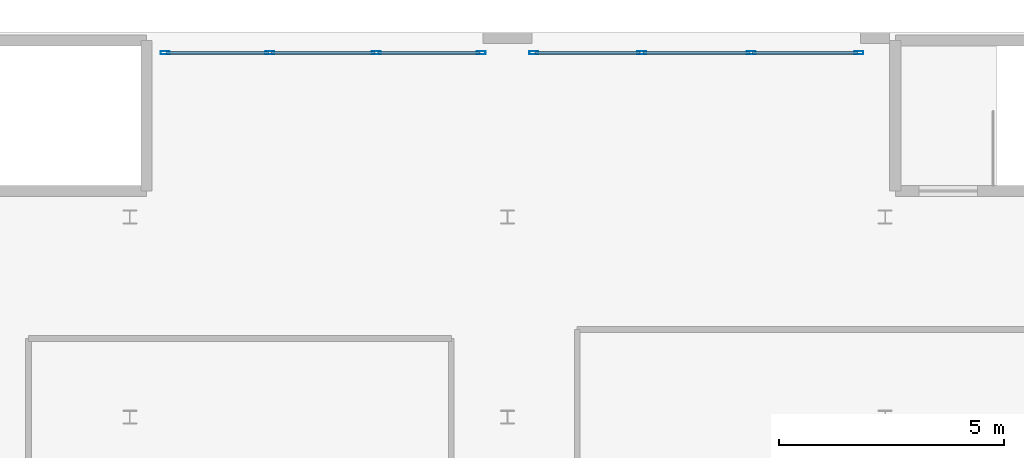
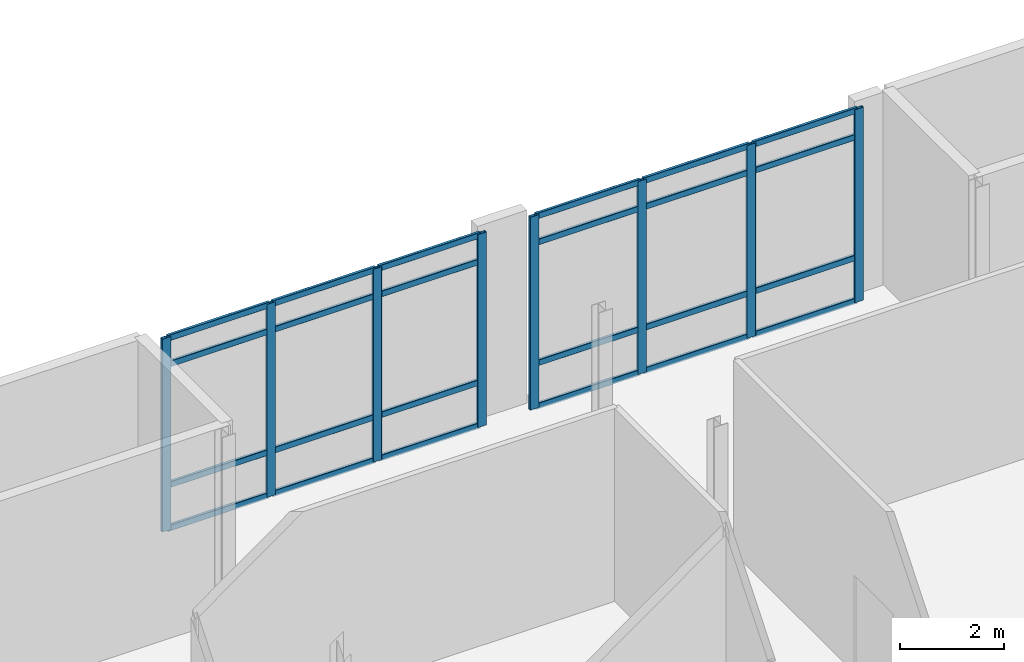
# One storey, part 78 of 154: 32 members, 2 elements without a shape of their own.
"""IFC4 building model written with IfcOpenShell, lengths in metres."""

from ifc_helpers import new_model, si_unit, direction, frame, origin, origin_2d, place, context, subcontext, project, spatial, hollow_rectangle, extrude, material, layer, layer_set, material_profile, profile_set, type_object, element, aggregate, save


model = new_model("IFC4")

# Units and contexts
model_context = context("Model", 3, precision=1e-05, world=origin(), true_north=direction((0.0, 1.0)))
body_context = subcontext(model_context, "Body", "Model", "MODEL_VIEW")
ifc_project = project(units=[si_unit("LENGTHUNIT", "METRE"), si_unit("AREAUNIT", "SQUARE_METRE"), si_unit("VOLUMEUNIT", "CUBIC_METRE"), si_unit("PLANEANGLEUNIT", "RADIAN"), si_unit("MASSUNIT", "GRAM", prefix="KILO")], contexts=[model_context])

# Site, building, storey
site_placement = place(None, origin())
site = spatial("IfcSite", under=ifc_project, at=site_placement, CompositionType="ELEMENT")
building_placement = place(site_placement, origin())
building = spatial("IfcBuilding", under=site, at=building_placement, Name="Kazehara Bluff Congress Hotel", CompositionType="ELEMENT")
storey_placement = place(building_placement, frame((0.0, 0.0, 10.199951171875)))
storey = spatial("IfcBuildingStorey", under=building, at=storey_placement, Name="L02", CompositionType="ELEMENT", Elevation=10.199951171875)

# Curtain wall, members
ifc_material_1 = material(Name="Anodised aluminium", Category="aluminium")
ifc_layer_1 = layer(ifc_material_1, 0.159912109375)
ifc_layer_set_1 = layer_set([ifc_layer_1], Name="Anodised aluminium")
curtain_wall_type_1 = type_object("IfcCurtainWallType", Name="TP-CW-47", PredefinedType="NOTDEFINED", material=ifc_layer_set_1)
curtain_wall_1_placement = place(storey_placement, origin())
curtain_wall_1 = element("IfcCurtainWall", 1, at=curtain_wall_1_placement, inside=storey, type_object=curtain_wall_type_1, Name="L02 curtain wall CW-47 CW-V3-L02-Y11355-6840", PredefinedType="NOTDEFINED")
ifc_material_2 = material(Name="Anodised aluminium", Category="aluminium")
ifc_material_profile_1 = material_profile(ifc_material_2, hollow_rectangle(XDim=0.070068359375, YDim=0.199951171875, WallThickness=0.0048828125, InnerFilletRadius=0.0048828125, OuterFilletRadius=0.010009765625, at=origin_2d()))
ifc_profile_set_1 = profile_set([ifc_material_profile_1], Name="Anodised aluminium")
member_type_1 = type_object("IfcMemberType", Name="TP-CWM-03", PredefinedType="MULLION", material=ifc_profile_set_1)
member_1_placement = place(storey_placement, frame((68.43505859375, 113.550048828125, 0.0), z_axis=(0.0, 0.0, 1.0), x_axis=(0.0, 1.0, 0.0)))
member_1 = element("IfcMember", 2, at=member_1_placement, type_object=member_type_1, Name="CW-47 mullion 1", PredefinedType="MULLION", context=body_context, shape_type="SweptSolid", body=[
    extrude(hollow_rectangle(XDim=0.070068359375, YDim=0.199951171875, WallThickness=0.0048828125, InnerFilletRadius=0.0048828125, OuterFilletRadius=0.010009765625, at=origin_2d()), origin(), (0.0, 0.0, 1.0), 4.545166015625),
])
member_2_placement = place(storey_placement, frame((70.7666015625, 113.550048828125, 0.0), z_axis=(0.0, 0.0, 1.0), x_axis=(0.0, 1.0, 0.0)))
member_2 = element("IfcMember", 3, at=member_2_placement, type_object=member_type_1, Name="CW-47 mullion 2", PredefinedType="MULLION", context=body_context, shape_type="SweptSolid", body=[
    extrude(hollow_rectangle(XDim=0.070068359375, YDim=0.199951171875, WallThickness=0.0048828125, InnerFilletRadius=0.0048828125, OuterFilletRadius=0.010009765625, at=origin_2d()), origin(), (0.0, 0.0, 1.0), 4.545166015625),
])
member_3_placement = place(storey_placement, frame((73.13330078125, 113.550048828125, 0.0), z_axis=(0.0, 0.0, 1.0), x_axis=(0.0, 1.0, 0.0)))
member_3 = element("IfcMember", 4, at=member_3_placement, type_object=member_type_1, Name="CW-47 mullion 3", PredefinedType="MULLION", context=body_context, shape_type="SweptSolid", body=[
    extrude(hollow_rectangle(XDim=0.070068359375, YDim=0.199951171875, WallThickness=0.0048828125, InnerFilletRadius=0.0048828125, OuterFilletRadius=0.010009765625, at=origin_2d()), origin(), (0.0, 0.0, 1.0), 4.545166015625),
])
member_4_placement = place(storey_placement, frame((75.465087890625, 113.550048828125, 0.0), z_axis=(0.0, 0.0, 1.0), x_axis=(0.0, 1.0, 0.0)))
member_4 = element("IfcMember", 5, at=member_4_placement, type_object=member_type_1, Name="CW-47 mullion 4", PredefinedType="MULLION", context=body_context, shape_type="SweptSolid", body=[
    extrude(hollow_rectangle(XDim=0.070068359375, YDim=0.199951171875, WallThickness=0.0048828125, InnerFilletRadius=0.0048828125, OuterFilletRadius=0.010009765625, at=origin_2d()), origin(), (0.0, 0.0, 1.0), 4.545166015625),
])

ifc_material_3 = material(Name="Anodised aluminium", Category="aluminium")
ifc_layer_2 = layer(ifc_material_3, 0.159912109375)
ifc_layer_set_2 = layer_set([ifc_layer_2], Name="Anodised aluminium")
curtain_wall_type_2 = type_object("IfcCurtainWallType", Name="TP-CW-48", PredefinedType="NOTDEFINED", material=ifc_layer_set_2)
curtain_wall_2_placement = place(storey_placement, origin())
curtain_wall_2 = element("IfcCurtainWall", 6, at=curtain_wall_2_placement, inside=storey, type_object=curtain_wall_type_2, Name="L02 curtain wall CW-48 CW-V3-L02-Y11355-7660", PredefinedType="NOTDEFINED")
member_5_placement = place(storey_placement, frame((76.635009765625, 113.550048828125, 0.0), z_axis=(0.0, 0.0, 1.0), x_axis=(0.0, 1.0, 0.0)))
member_5 = element("IfcMember", 7, at=member_5_placement, type_object=member_type_1, Name="CW-48 mullion 1", PredefinedType="MULLION", context=body_context, shape_type="SweptSolid", body=[
    extrude(hollow_rectangle(XDim=0.070068359375, YDim=0.199951171875, WallThickness=0.0048828125, InnerFilletRadius=0.0048828125, OuterFilletRadius=0.010009765625, at=origin_2d()), origin(), (0.0, 0.0, 1.0), 4.545166015625),
])
member_6_placement = place(storey_placement, frame((79.033447265625, 113.550048828125, 0.0), z_axis=(0.0, 0.0, 1.0), x_axis=(0.0, 1.0, 0.0)))
member_6 = element("IfcMember", 8, at=member_6_placement, type_object=member_type_1, Name="CW-48 mullion 2", PredefinedType="MULLION", context=body_context, shape_type="SweptSolid", body=[
    extrude(hollow_rectangle(XDim=0.070068359375, YDim=0.199951171875, WallThickness=0.0048828125, InnerFilletRadius=0.0048828125, OuterFilletRadius=0.010009765625, at=origin_2d()), origin(), (0.0, 0.0, 1.0), 4.545166015625),
])
member_7_placement = place(storey_placement, frame((81.466552734375, 113.550048828125, 0.0), z_axis=(0.0, 0.0, 1.0), x_axis=(0.0, 1.0, 0.0)))
member_7 = element("IfcMember", 9, at=member_7_placement, type_object=member_type_1, Name="CW-48 mullion 3", PredefinedType="MULLION", context=body_context, shape_type="SweptSolid", body=[
    extrude(hollow_rectangle(XDim=0.070068359375, YDim=0.199951171875, WallThickness=0.0048828125, InnerFilletRadius=0.0048828125, OuterFilletRadius=0.010009765625, at=origin_2d()), origin(), (0.0, 0.0, 1.0), 4.545166015625),
])
member_8_placement = place(storey_placement, frame((83.864990234375, 113.550048828125, 0.0), z_axis=(0.0, 0.0, 1.0), x_axis=(0.0, 1.0, 0.0)))
member_8 = element("IfcMember", 10, at=member_8_placement, type_object=member_type_1, Name="CW-48 mullion 4", PredefinedType="MULLION", context=body_context, shape_type="SweptSolid", body=[
    extrude(hollow_rectangle(XDim=0.070068359375, YDim=0.199951171875, WallThickness=0.0048828125, InnerFilletRadius=0.0048828125, OuterFilletRadius=0.010009765625, at=origin_2d()), origin(), (0.0, 0.0, 1.0), 4.545166015625),
])

# Member
ifc_material_4 = material(Name="Anodised aluminium", Category="aluminium")
ifc_material_profile_2 = material_profile(ifc_material_4, hollow_rectangle(XDim=0.06494140625, YDim=0.139892578125, WallThickness=0.00390625, InnerFilletRadius=0.00390625, OuterFilletRadius=0.008056640625, at=origin_2d()))
ifc_profile_set_2 = profile_set([ifc_material_profile_2], Name="Anodised aluminium")
member_type_2 = type_object("IfcMemberType", Name="TP-CWT-02", PredefinedType="USERDEFINED", material=ifc_profile_set_2)
member_9_placement = place(storey_placement, frame((68.469970703125, 113.550048828125, 0.032470703125), z_axis=(1.0, 0.0, 0.0), x_axis=(0.0, 1.0, 0.0)))
member_9 = element("IfcMember", 11, at=member_9_placement, type_object=member_type_2, Name="CW-47 transom 1.1", ObjectType="TRANSOM", PredefinedType="USERDEFINED", context=body_context, shape_type="SweptSolid", body=[
    extrude(hollow_rectangle(XDim=0.06494140625, YDim=0.139892578125, WallThickness=0.00390625, InnerFilletRadius=0.00390625, OuterFilletRadius=0.008056640625, at=origin_2d()), origin(), (0.0, 0.0, 1.0), 2.26171875),
])

member_10_placement = place(storey_placement, frame((68.469970703125, 113.550048828125, 1.050048828125), z_axis=(1.0, 0.0, 0.0), x_axis=(0.0, 1.0, 0.0)))
member_10 = element("IfcMember", 12, at=member_10_placement, type_object=member_type_2, Name="CW-47 transom 1.2", ObjectType="TRANSOM", PredefinedType="USERDEFINED", context=body_context, shape_type="SweptSolid", body=[
    extrude(hollow_rectangle(XDim=0.06494140625, YDim=0.139892578125, WallThickness=0.00390625, InnerFilletRadius=0.00390625, OuterFilletRadius=0.008056640625, at=origin_2d()), origin(), (0.0, 0.0, 1.0), 2.26171875),
])

member_11_placement = place(storey_placement, frame((68.469970703125, 113.550048828125, 3.89501953125), z_axis=(1.0, 0.0, 0.0), x_axis=(0.0, 1.0, 0.0)))
member_11 = element("IfcMember", 13, at=member_11_placement, type_object=member_type_2, Name="CW-47 transom 1.3", ObjectType="TRANSOM", PredefinedType="USERDEFINED", context=body_context, shape_type="SweptSolid", body=[
    extrude(hollow_rectangle(XDim=0.06494140625, YDim=0.139892578125, WallThickness=0.00390625, InnerFilletRadius=0.00390625, OuterFilletRadius=0.008056640625, at=origin_2d()), origin(), (0.0, 0.0, 1.0), 2.26171875),
])

member_12_placement = place(storey_placement, frame((68.469970703125, 113.550048828125, 4.512451171875), z_axis=(1.0, 0.0, 0.0), x_axis=(0.0, 1.0, 0.0)))
member_12 = element("IfcMember", 14, at=member_12_placement, type_object=member_type_2, Name="CW-47 transom 1.4", ObjectType="TRANSOM", PredefinedType="USERDEFINED", context=body_context, shape_type="SweptSolid", body=[
    extrude(hollow_rectangle(XDim=0.06494140625, YDim=0.139892578125, WallThickness=0.00390625, InnerFilletRadius=0.00390625, OuterFilletRadius=0.008056640625, at=origin_2d()), origin(), (0.0, 0.0, 1.0), 2.26171875),
])

member_13_placement = place(storey_placement, frame((70.8017578125, 113.550048828125, 0.032470703125), z_axis=(1.0, 0.0, 0.0), x_axis=(0.0, 1.0, 0.0)))
member_13 = element("IfcMember", 15, at=member_13_placement, type_object=member_type_2, Name="CW-47 transom 2.1", ObjectType="TRANSOM", PredefinedType="USERDEFINED", context=body_context, shape_type="SweptSolid", body=[
    extrude(hollow_rectangle(XDim=0.06494140625, YDim=0.139892578125, WallThickness=0.00390625, InnerFilletRadius=0.00390625, OuterFilletRadius=0.008056640625, at=origin_2d()), origin(), (0.0, 0.0, 1.0), 2.296630859375),
])

member_14_placement = place(storey_placement, frame((70.8017578125, 113.550048828125, 1.050048828125), z_axis=(1.0, 0.0, 0.0), x_axis=(0.0, 1.0, 0.0)))
member_14 = element("IfcMember", 16, at=member_14_placement, type_object=member_type_2, Name="CW-47 transom 2.2", ObjectType="TRANSOM", PredefinedType="USERDEFINED", context=body_context, shape_type="SweptSolid", body=[
    extrude(hollow_rectangle(XDim=0.06494140625, YDim=0.139892578125, WallThickness=0.00390625, InnerFilletRadius=0.00390625, OuterFilletRadius=0.008056640625, at=origin_2d()), origin(), (0.0, 0.0, 1.0), 2.296630859375),
])

member_15_placement = place(storey_placement, frame((70.8017578125, 113.550048828125, 3.89501953125), z_axis=(1.0, 0.0, 0.0), x_axis=(0.0, 1.0, 0.0)))
member_15 = element("IfcMember", 17, at=member_15_placement, type_object=member_type_2, Name="CW-47 transom 2.3", ObjectType="TRANSOM", PredefinedType="USERDEFINED", context=body_context, shape_type="SweptSolid", body=[
    extrude(hollow_rectangle(XDim=0.06494140625, YDim=0.139892578125, WallThickness=0.00390625, InnerFilletRadius=0.00390625, OuterFilletRadius=0.008056640625, at=origin_2d()), origin(), (0.0, 0.0, 1.0), 2.296630859375),
])

member_16_placement = place(storey_placement, frame((70.8017578125, 113.550048828125, 4.512451171875), z_axis=(1.0, 0.0, 0.0), x_axis=(0.0, 1.0, 0.0)))
member_16 = element("IfcMember", 18, at=member_16_placement, type_object=member_type_2, Name="CW-47 transom 2.4", ObjectType="TRANSOM", PredefinedType="USERDEFINED", context=body_context, shape_type="SweptSolid", body=[
    extrude(hollow_rectangle(XDim=0.06494140625, YDim=0.139892578125, WallThickness=0.00390625, InnerFilletRadius=0.00390625, OuterFilletRadius=0.008056640625, at=origin_2d()), origin(), (0.0, 0.0, 1.0), 2.296630859375),
])

member_17_placement = place(storey_placement, frame((73.168212890625, 113.550048828125, 0.032470703125), z_axis=(1.0, 0.0, 0.0), x_axis=(0.0, 1.0, 0.0)))
member_17 = element("IfcMember", 19, at=member_17_placement, type_object=member_type_2, Name="CW-47 transom 3.1", ObjectType="TRANSOM", PredefinedType="USERDEFINED", context=body_context, shape_type="SweptSolid", body=[
    extrude(hollow_rectangle(XDim=0.06494140625, YDim=0.139892578125, WallThickness=0.00390625, InnerFilletRadius=0.00390625, OuterFilletRadius=0.008056640625, at=origin_2d()), origin(), (0.0, 0.0, 1.0), 2.26171875),
])

member_18_placement = place(storey_placement, frame((73.168212890625, 113.550048828125, 1.050048828125), z_axis=(1.0, 0.0, 0.0), x_axis=(0.0, 1.0, 0.0)))
member_18 = element("IfcMember", 20, at=member_18_placement, type_object=member_type_2, Name="CW-47 transom 3.2", ObjectType="TRANSOM", PredefinedType="USERDEFINED", context=body_context, shape_type="SweptSolid", body=[
    extrude(hollow_rectangle(XDim=0.06494140625, YDim=0.139892578125, WallThickness=0.00390625, InnerFilletRadius=0.00390625, OuterFilletRadius=0.008056640625, at=origin_2d()), origin(), (0.0, 0.0, 1.0), 2.26171875),
])

member_19_placement = place(storey_placement, frame((73.168212890625, 113.550048828125, 3.89501953125), z_axis=(1.0, 0.0, 0.0), x_axis=(0.0, 1.0, 0.0)))
member_19 = element("IfcMember", 21, at=member_19_placement, type_object=member_type_2, Name="CW-47 transom 3.3", ObjectType="TRANSOM", PredefinedType="USERDEFINED", context=body_context, shape_type="SweptSolid", body=[
    extrude(hollow_rectangle(XDim=0.06494140625, YDim=0.139892578125, WallThickness=0.00390625, InnerFilletRadius=0.00390625, OuterFilletRadius=0.008056640625, at=origin_2d()), origin(), (0.0, 0.0, 1.0), 2.26171875),
])

member_20_placement = place(storey_placement, frame((73.168212890625, 113.550048828125, 4.512451171875), z_axis=(1.0, 0.0, 0.0), x_axis=(0.0, 1.0, 0.0)))
member_20 = element("IfcMember", 22, at=member_20_placement, type_object=member_type_2, Name="CW-47 transom 3.4", ObjectType="TRANSOM", PredefinedType="USERDEFINED", context=body_context, shape_type="SweptSolid", body=[
    extrude(hollow_rectangle(XDim=0.06494140625, YDim=0.139892578125, WallThickness=0.00390625, InnerFilletRadius=0.00390625, OuterFilletRadius=0.008056640625, at=origin_2d()), origin(), (0.0, 0.0, 1.0), 2.26171875),
])

aggregate(curtain_wall_1, [member_1, member_2, member_3, member_4, member_9, member_10, member_11, member_12, member_13, member_14, member_15, member_16, member_17, member_18, member_19, member_20])

member_21_placement = place(storey_placement, frame((76.669921875, 113.550048828125, 0.032470703125), z_axis=(1.0, 0.0, 0.0), x_axis=(0.0, 1.0, 0.0)))
member_21 = element("IfcMember", 23, at=member_21_placement, type_object=member_type_2, Name="CW-48 transom 1.1", ObjectType="TRANSOM", PredefinedType="USERDEFINED", context=body_context, shape_type="SweptSolid", body=[
    extrude(hollow_rectangle(XDim=0.06494140625, YDim=0.139892578125, WallThickness=0.00390625, InnerFilletRadius=0.00390625, OuterFilletRadius=0.008056640625, at=origin_2d()), origin(), (0.0, 0.0, 1.0), 2.328369140625),
])

member_22_placement = place(storey_placement, frame((76.669921875, 113.550048828125, 1.050048828125), z_axis=(1.0, 0.0, 0.0), x_axis=(0.0, 1.0, 0.0)))
member_22 = element("IfcMember", 24, at=member_22_placement, type_object=member_type_2, Name="CW-48 transom 1.2", ObjectType="TRANSOM", PredefinedType="USERDEFINED", context=body_context, shape_type="SweptSolid", body=[
    extrude(hollow_rectangle(XDim=0.06494140625, YDim=0.139892578125, WallThickness=0.00390625, InnerFilletRadius=0.00390625, OuterFilletRadius=0.008056640625, at=origin_2d()), origin(), (0.0, 0.0, 1.0), 2.328369140625),
])

member_23_placement = place(storey_placement, frame((76.669921875, 113.550048828125, 3.89501953125), z_axis=(1.0, 0.0, 0.0), x_axis=(0.0, 1.0, 0.0)))
member_23 = element("IfcMember", 25, at=member_23_placement, type_object=member_type_2, Name="CW-48 transom 1.3", ObjectType="TRANSOM", PredefinedType="USERDEFINED", context=body_context, shape_type="SweptSolid", body=[
    extrude(hollow_rectangle(XDim=0.06494140625, YDim=0.139892578125, WallThickness=0.00390625, InnerFilletRadius=0.00390625, OuterFilletRadius=0.008056640625, at=origin_2d()), origin(), (0.0, 0.0, 1.0), 2.328369140625),
])

member_24_placement = place(storey_placement, frame((76.669921875, 113.550048828125, 4.512451171875), z_axis=(1.0, 0.0, 0.0), x_axis=(0.0, 1.0, 0.0)))
member_24 = element("IfcMember", 26, at=member_24_placement, type_object=member_type_2, Name="CW-48 transom 1.4", ObjectType="TRANSOM", PredefinedType="USERDEFINED", context=body_context, shape_type="SweptSolid", body=[
    extrude(hollow_rectangle(XDim=0.06494140625, YDim=0.139892578125, WallThickness=0.00390625, InnerFilletRadius=0.00390625, OuterFilletRadius=0.008056640625, at=origin_2d()), origin(), (0.0, 0.0, 1.0), 2.328369140625),
])

member_25_placement = place(storey_placement, frame((79.068359375, 113.550048828125, 0.032470703125), z_axis=(1.0, 0.0, 0.0), x_axis=(0.0, 1.0, 0.0)))
member_25 = element("IfcMember", 27, at=member_25_placement, type_object=member_type_2, Name="CW-48 transom 2.1", ObjectType="TRANSOM", PredefinedType="USERDEFINED", context=body_context, shape_type="SweptSolid", body=[
    extrude(hollow_rectangle(XDim=0.06494140625, YDim=0.139892578125, WallThickness=0.00390625, InnerFilletRadius=0.00390625, OuterFilletRadius=0.008056640625, at=origin_2d()), origin(), (0.0, 0.0, 1.0), 2.36328125),
])

member_26_placement = place(storey_placement, frame((79.068359375, 113.550048828125, 1.050048828125), z_axis=(1.0, 0.0, 0.0), x_axis=(0.0, 1.0, 0.0)))
member_26 = element("IfcMember", 28, at=member_26_placement, type_object=member_type_2, Name="CW-48 transom 2.2", ObjectType="TRANSOM", PredefinedType="USERDEFINED", context=body_context, shape_type="SweptSolid", body=[
    extrude(hollow_rectangle(XDim=0.06494140625, YDim=0.139892578125, WallThickness=0.00390625, InnerFilletRadius=0.00390625, OuterFilletRadius=0.008056640625, at=origin_2d()), origin(), (0.0, 0.0, 1.0), 2.36328125),
])

member_27_placement = place(storey_placement, frame((79.068359375, 113.550048828125, 3.89501953125), z_axis=(1.0, 0.0, 0.0), x_axis=(0.0, 1.0, 0.0)))
member_27 = element("IfcMember", 29, at=member_27_placement, type_object=member_type_2, Name="CW-48 transom 2.3", ObjectType="TRANSOM", PredefinedType="USERDEFINED", context=body_context, shape_type="SweptSolid", body=[
    extrude(hollow_rectangle(XDim=0.06494140625, YDim=0.139892578125, WallThickness=0.00390625, InnerFilletRadius=0.00390625, OuterFilletRadius=0.008056640625, at=origin_2d()), origin(), (0.0, 0.0, 1.0), 2.36328125),
])

member_28_placement = place(storey_placement, frame((79.068359375, 113.550048828125, 4.512451171875), z_axis=(1.0, 0.0, 0.0), x_axis=(0.0, 1.0, 0.0)))
member_28 = element("IfcMember", 30, at=member_28_placement, type_object=member_type_2, Name="CW-48 transom 2.4", ObjectType="TRANSOM", PredefinedType="USERDEFINED", context=body_context, shape_type="SweptSolid", body=[
    extrude(hollow_rectangle(XDim=0.06494140625, YDim=0.139892578125, WallThickness=0.00390625, InnerFilletRadius=0.00390625, OuterFilletRadius=0.008056640625, at=origin_2d()), origin(), (0.0, 0.0, 1.0), 2.36328125),
])

member_29_placement = place(storey_placement, frame((81.501708984375, 113.550048828125, 0.032470703125), z_axis=(1.0, 0.0, 0.0), x_axis=(0.0, 1.0, 0.0)))
member_29 = element("IfcMember", 31, at=member_29_placement, type_object=member_type_2, Name="CW-48 transom 3.1", ObjectType="TRANSOM", PredefinedType="USERDEFINED", context=body_context, shape_type="SweptSolid", body=[
    extrude(hollow_rectangle(XDim=0.06494140625, YDim=0.139892578125, WallThickness=0.00390625, InnerFilletRadius=0.00390625, OuterFilletRadius=0.008056640625, at=origin_2d()), origin(), (0.0, 0.0, 1.0), 2.328369140625),
])

member_30_placement = place(storey_placement, frame((81.501708984375, 113.550048828125, 1.050048828125), z_axis=(1.0, 0.0, 0.0), x_axis=(0.0, 1.0, 0.0)))
member_30 = element("IfcMember", 32, at=member_30_placement, type_object=member_type_2, Name="CW-48 transom 3.2", ObjectType="TRANSOM", PredefinedType="USERDEFINED", context=body_context, shape_type="SweptSolid", body=[
    extrude(hollow_rectangle(XDim=0.06494140625, YDim=0.139892578125, WallThickness=0.00390625, InnerFilletRadius=0.00390625, OuterFilletRadius=0.008056640625, at=origin_2d()), origin(), (0.0, 0.0, 1.0), 2.328369140625),
])

member_31_placement = place(storey_placement, frame((81.501708984375, 113.550048828125, 3.89501953125), z_axis=(1.0, 0.0, 0.0), x_axis=(0.0, 1.0, 0.0)))
member_31 = element("IfcMember", 33, at=member_31_placement, type_object=member_type_2, Name="CW-48 transom 3.3", ObjectType="TRANSOM", PredefinedType="USERDEFINED", context=body_context, shape_type="SweptSolid", body=[
    extrude(hollow_rectangle(XDim=0.06494140625, YDim=0.139892578125, WallThickness=0.00390625, InnerFilletRadius=0.00390625, OuterFilletRadius=0.008056640625, at=origin_2d()), origin(), (0.0, 0.0, 1.0), 2.328369140625),
])

member_32_placement = place(storey_placement, frame((81.501708984375, 113.550048828125, 4.512451171875), z_axis=(1.0, 0.0, 0.0), x_axis=(0.0, 1.0, 0.0)))
member_32 = element("IfcMember", 34, at=member_32_placement, type_object=member_type_2, Name="CW-48 transom 3.4", ObjectType="TRANSOM", PredefinedType="USERDEFINED", context=body_context, shape_type="SweptSolid", body=[
    extrude(hollow_rectangle(XDim=0.06494140625, YDim=0.139892578125, WallThickness=0.00390625, InnerFilletRadius=0.00390625, OuterFilletRadius=0.008056640625, at=origin_2d()), origin(), (0.0, 0.0, 1.0), 2.328369140625),
])

aggregate(curtain_wall_2, [member_5, member_6, member_7, member_8, member_21, member_22, member_23, member_24, member_25, member_26, member_27, member_28, member_29, member_30, member_31, member_32])

save(model, "model.ifc")
